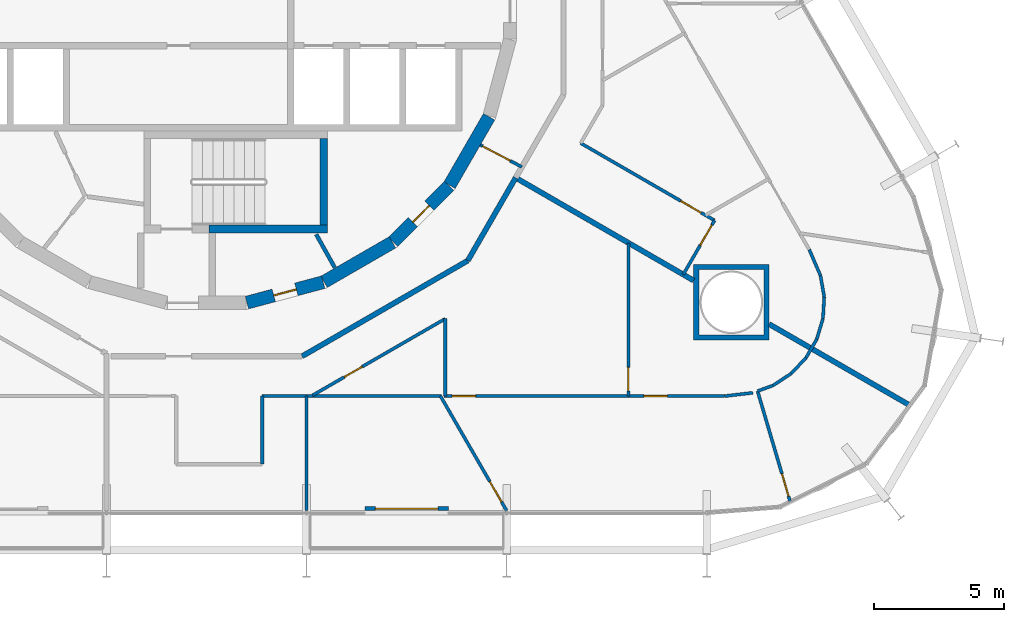
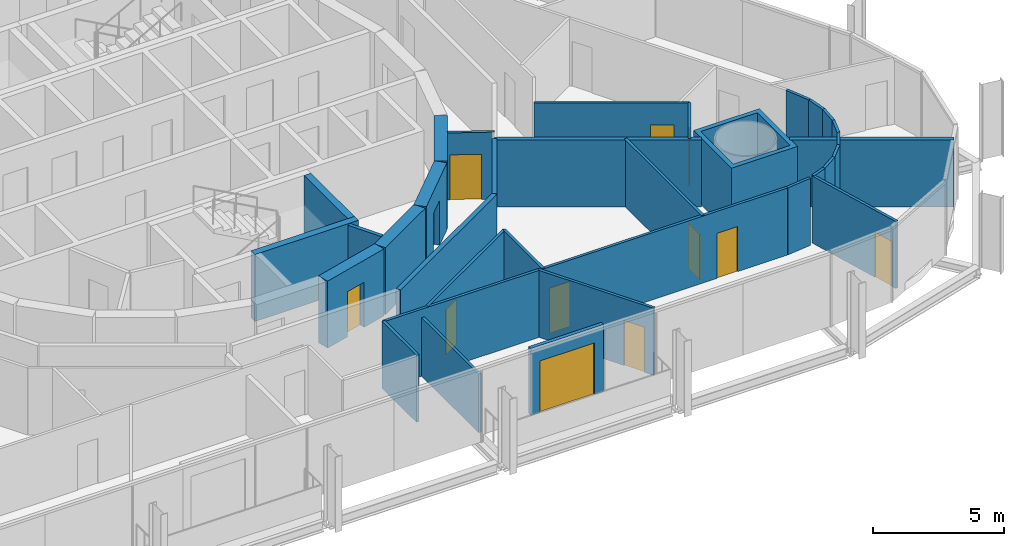
# One storey, part 15 of 19: 34 walls, 12 doors, 12 openings.
"""IFC4 building model written with IfcOpenShell, lengths in metres."""

from ifc_helpers import new_model, si_unit, direction, frame, frame_2d, origin, place, context, subcontext, project, spatial, polyline, rectangle, outline, extrude, material, layer, layer_set, type_object, element, fill, save


model = new_model("IFC4")

# Units and contexts
model_context = context("Model", 3, precision=1e-05, world=origin(), true_north=direction((0.0, 1.0)))
body_context = subcontext(model_context, "Body", "Model", "MODEL_VIEW")
ifc_project = project(units=[si_unit("LENGTHUNIT", "METRE"), si_unit("AREAUNIT", "SQUARE_METRE"), si_unit("VOLUMEUNIT", "CUBIC_METRE"), si_unit("PLANEANGLEUNIT", "RADIAN"), si_unit("MASSUNIT", "GRAM", prefix="KILO")], contexts=[model_context])

# Site, building, storey
site_placement = place(None, origin())
site = spatial("IfcSite", under=ifc_project, at=site_placement, CompositionType="ELEMENT")
building_placement = place(site_placement, origin())
building = spatial("IfcBuilding", under=site, at=building_placement, Name="Spindle Arch Residences", CompositionType="ELEMENT")
storey_placement = place(building_placement, frame((0.0, 0.0, 45.39990234375)))
storey = spatial("IfcBuildingStorey", under=building, at=storey_placement, Name="L09", CompositionType="ELEMENT", Elevation=45.39990234375)

# Wall, opening, door
ifc_material_1 = material(Name="Concrete C50/60", Category="concrete")
ifc_layer_1 = layer(ifc_material_1, 0.5)
ifc_layer_set_1 = layer_set([ifc_layer_1], Name="Core outline wall 500")
wall_type_1 = type_object("IfcWallType", Name="Core outline wall 500", PredefinedType="SHEAR", material=ifc_layer_set_1)
wall_1_placement = place(storey_placement, frame((1.5498046875, -11.642822265625, 0.0), z_axis=(0.0, 0.0, 1.0), x_axis=(0.965948410781, 0.258734743916, 0.0)))
wall_1 = element("IfcWall", 1, at=wall_1_placement, inside=storey, type_object=wall_type_1, Name="Core outline wall 1", PredefinedType="SHEAR", context=body_context, shape_type="SweptSolid", body=[
    extrude(rectangle(XDim=3.03271484375, YDim=0.5, at=frame_2d((1.516357421875, 0.0))), origin(), (0.0, 0.0, 1.0), 3.1201171875),
])
opening_1_placement = place(wall_1_placement, frame((1.06640625, 0.0, 0.0)))
opening_1 = element("IfcOpeningElement", 2, at=opening_1_placement, cuts=wall_1, Name="Opening R1A0-WD08", PredefinedType="OPENING", context=body_context, shape_type="SweptSolid", body=[
    extrude(rectangle(XDim=0.89990234375, YDim=2.10009765625, at=frame_2d((0.449951171875, 1.050048828125))), frame((0.0, 0.260009765625, 0.0), z_axis=(0.0, -1.0, 0.0), x_axis=(1.0, 0.0, 0.0)), (0.0, 0.0, 1.0), 0.52001953125),
])
ifc_material_2 = material(Name="Steel, fire-resisting door", Category="steel")
door_type_1 = type_object("IfcDoorType", Name="Service room door 900x2100", OperationType="SINGLE_SWING_LEFT", PredefinedType="DOOR", material=ifc_material_2)
door_1_placement = place(opening_1_placement, origin())
door_1 = element("IfcDoor", 3, at=door_1_placement, inside=storey, type_object=door_type_1, Name="Service room door R1A0-WD08", OperationType="SINGLE_SWING_LEFT", OverallHeight=2.10009765625, OverallWidth=0.89990234375, PredefinedType="DOOR", context=body_context, shape_type="SweptSolid", body=[
    extrude(rectangle(XDim=0.89990234375, YDim=2.10009765625, at=frame_2d((0.449951171875, 1.050048828125))), frame((0.0, 0.02490234375, 0.0), z_axis=(0.0, -1.0, 0.0), x_axis=(1.0, 0.0, 0.0)), (0.0, 0.0, 1.0), 0.050048828125),
])
fill(opening_1, door_1)

# Wall
wall_2_placement = place(storey_placement, frame((4.510498046875, -10.84521484375, 0.0), z_axis=(0.0, 0.0, 1.0), x_axis=(0.865975092491, 0.500087131594, 0.0)))
element("IfcWall", 4, at=wall_2_placement, inside=storey, type_object=wall_type_1, Name="Core outline wall 2", PredefinedType="SHEAR", context=body_context, shape_type="SweptSolid", body=[
    extrude(rectangle(XDim=3.03271484375, YDim=0.5, at=frame_2d((1.516357421875, 0.0))), origin(), (0.0, 0.0, 1.0), 3.1201171875),
])

# Wall, opening, door
wall_3_placement = place(storey_placement, frame((7.163818359375, -9.30810546875, 0.0), z_axis=(0.0, 0.0, 1.0), x_axis=(0.707106781187, 0.707106781187, 0.0)))
wall_3 = element("IfcWall", 5, at=wall_3_placement, inside=storey, type_object=wall_type_1, Name="Core outline wall 3", PredefinedType="SHEAR", context=body_context, shape_type="SweptSolid", body=[
    extrude(rectangle(XDim=3.032470703125, YDim=0.5, at=frame_2d((1.51611328125, 0.0))), origin(), (0.0, 0.0, 1.0), 3.1201171875),
])
opening_2_placement = place(wall_3_placement, frame((1.06640625, 0.0, 0.0)))
opening_2 = element("IfcOpeningElement", 6, at=opening_2_placement, cuts=wall_3, Name="Opening R1A0-WD07", PredefinedType="OPENING", context=body_context, shape_type="SweptSolid", body=[
    extrude(rectangle(XDim=0.89990234375, YDim=2.10009765625, at=frame_2d((0.449951171875, 1.050048828125))), frame((0.0, 0.260009765625, 0.0), z_axis=(0.0, -1.0, 0.0), x_axis=(1.0, 0.0, 0.0)), (0.0, 0.0, 1.0), 0.52001953125),
])
door_2_placement = place(opening_2_placement, origin())
door_2 = element("IfcDoor", 7, at=door_2_placement, inside=storey, type_object=door_type_1, Name="Service room door R1A0-WD07", OperationType="SINGLE_SWING_RIGHT", OverallHeight=2.10009765625, OverallWidth=0.89990234375, PredefinedType="DOOR", context=body_context, shape_type="SweptSolid", body=[
    extrude(rectangle(XDim=0.89990234375, YDim=2.10009765625, at=frame_2d((0.449951171875, 1.050048828125))), frame((0.0, 0.02490234375, 0.0), z_axis=(0.0, -1.0, 0.0), x_axis=(1.0, 0.0, 0.0)), (0.0, 0.0, 1.0), 0.050048828125),
])
fill(opening_2, door_2)

# Wall
wall_4_placement = place(storey_placement, frame((9.32861328125, -7.13671875, 0.0), z_axis=(0.0, 0.0, 1.0), x_axis=(0.500087131594, 0.865975092491, 0.0)))
element("IfcWall", 8, at=wall_4_placement, inside=storey, type_object=wall_type_1, Name="Core outline wall 4", PredefinedType="SHEAR", context=body_context, shape_type="SweptSolid", body=[
    extrude(rectangle(XDim=3.03271484375, YDim=0.5, at=frame_2d((1.516357421875, 0.0))), origin(), (0.0, 0.0, 1.0), 3.1201171875),
])

# Wall, opening, door
ifc_material_3 = material(Name="Plasterboard on steel studs", Category="steel")
ifc_layer_2 = layer(ifc_material_3, 0.1201171875)
ifc_layer_set_2 = layer_set([ifc_layer_2], Name="Corridor division wall 120")
wall_type_2 = type_object("IfcWallType", Name="Corridor division wall 120", PredefinedType="PARTITIONING", material=ifc_layer_set_2)
wall_5_placement = place(storey_placement, frame((10.510986328125, -5.5888671875, 0.0), z_axis=(0.0, 0.0, 1.0), x_axis=(0.88294043061, -0.469485032769, 0.0)))
wall_5 = element("IfcWall", 9, at=wall_5_placement, inside=storey, type_object=wall_type_2, Name="Corridor division wall R1A0-W002", PredefinedType="PARTITIONING", context=body_context, shape_type="SweptSolid", body=[
    extrude(rectangle(XDim=1.803955078125, YDim=0.1201171875, at=frame_2d((0.90185546875, 0.0))), origin(), (0.0, 0.0, 1.0), 3.1201171875),
])
opening_3_placement = place(wall_5_placement, frame((0.10009765625, 0.0, 0.0)))
opening_3 = element("IfcOpeningElement", 10, at=opening_3_placement, cuts=wall_5, Name="Opening R1A0-CD02", PredefinedType="OPENING", context=body_context, shape_type="SweptSolid", body=[
    extrude(rectangle(XDim=1.199951171875, YDim=2.10009765625, at=frame_2d((0.60009765625, 1.050048828125))), frame((0.0, 0.070068359375, 0.0), z_axis=(0.0, -1.0, 0.0), x_axis=(1.0, 0.0, 0.0)), (0.0, 0.0, 1.0), 0.14013671875),
])
ifc_material_4 = material(Name="Steel, fire-resisting door", Category="steel")
door_type_2 = type_object("IfcDoorType", Name="Corridor division door 1200x2100", OperationType="NOTDEFINED", PredefinedType="DOOR", material=ifc_material_4)
door_3_placement = place(opening_3_placement, origin())
door_3 = element("IfcDoor", 11, at=door_3_placement, inside=storey, type_object=door_type_2, Name="Corridor division door R1A0-CD02", OperationType="DOUBLE_DOOR_SINGLE_SWING", OverallHeight=2.10009765625, OverallWidth=1.199951171875, PredefinedType="DOOR", context=body_context, shape_type="SweptSolid", body=[
    extrude(rectangle(XDim=1.199951171875, YDim=2.10009765625, at=frame_2d((0.60009765625, 1.050048828125))), frame((0.0, 0.02490234375, 0.0), z_axis=(0.0, -1.0, 0.0), x_axis=(1.0, 0.0, 0.0)), (0.0, 0.0, 1.0), 0.050048828125),
])
fill(opening_3, door_3)

# Walls
ifc_material_5 = material(Name="Calcium silicate block, plastered")
ifc_layer_3 = layer(ifc_material_5, 0.199951171875)
ifc_layer_set_3 = layer_set([ifc_layer_3], Name="Corridor wall 200")
wall_type_3 = type_object("IfcWallType", Name="Corridor wall 200", PredefinedType="STANDARD", material=ifc_layer_set_3)
wall_6_placement = place(storey_placement, frame((3.6708984375, -13.699951171875, 0.0), z_axis=(0.0, 0.0, 1.0), x_axis=(0.866024439905, 0.500001669485, 0.0)))
element("IfcWall", 12, at=wall_6_placement, inside=storey, type_object=wall_type_3, Name="Corridor wall R1A0-W015", PredefinedType="STANDARD", context=body_context, shape_type="SweptSolid", body=[
    extrude(rectangle(XDim=7.341796875, YDim=0.199951171875, at=frame_2d((3.6708984375, 0.0))), origin(), (0.0, 0.0, 1.0), 3.1201171875),
])
wall_7_placement = place(storey_placement, frame((10.029052734375, -10.029052734375, 0.0), z_axis=(0.0, 0.0, 1.0), x_axis=(0.50001606911, 0.866016126081, 0.0)))
element("IfcWall", 13, at=wall_7_placement, inside=storey, type_object=wall_type_3, Name="Corridor wall R1A0-W016", PredefinedType="STANDARD", context=body_context, shape_type="SweptSolid", body=[
    extrude(rectangle(XDim=3.6708984375, YDim=0.199951171875, at=frame_2d((1.83544921875, 0.0))), origin(), (0.0, 0.0, 1.0), 3.1201171875),
])
ifc_material_6 = material(Name="Plasterboard on steel studs", Category="steel")
ifc_layer_4 = layer(ifc_material_6, 0.1201171875)
ifc_layer_set_4 = layer_set([ifc_layer_4], Name="Flat partition 120")
wall_type_4 = type_object("IfcWallType", Name="Flat partition 120", PredefinedType="PARTITIONING", material=ifc_layer_set_4)
wall_8_placement = place(storey_placement, frame((2.138671875, -17.844970703125, 0.0), z_axis=(0.0, 0.0, 1.0), x_axis=(0.0, 1.0, 0.0)))
element("IfcWall", 14, at=wall_8_placement, inside=storey, type_object=wall_type_4, Name="Flat partition R1A0-W087", PredefinedType="PARTITIONING", context=body_context, shape_type="SweptSolid", body=[
    extrude(rectangle(XDim=2.614990234375, YDim=0.1201171875, at=frame_2d((1.3076171875, 0.0))), origin(), (0.0, 0.0, 1.0), 3.1201171875),
])
wall_9_placement = place(storey_placement, frame((2.138671875, -15.22998046875, 0.0), z_axis=(0.0, 0.0, 1.0), x_axis=(1.0, 0.0, 0.0)))
element("IfcWall", 15, at=wall_9_placement, inside=storey, type_object=wall_type_4, Name="Flat partition R1A0-W088", PredefinedType="PARTITIONING", context=body_context, shape_type="SweptSolid", body=[
    extrude(rectangle(XDim=6.88720703125, YDim=0.1201171875, at=frame_2d((3.443603515625, 0.0))), origin(), (0.0, 0.0, 1.0), 3.1201171875),
])

# Wall, opening, door
wall_10_placement = place(storey_placement, frame((4.07275390625, -15.199951171875, 0.0), z_axis=(0.0, 0.0, 1.0), x_axis=(0.866034128446, 0.499984888139, 0.0)))
wall_10 = element("IfcWall", 16, at=wall_10_placement, inside=storey, type_object=wall_type_4, Name="Flat partition R1A0-W089", PredefinedType="PARTITIONING", context=body_context, shape_type="SweptSolid", body=[
    extrude(rectangle(XDim=5.878662109375, YDim=0.1201171875, at=frame_2d((2.939453125, 0.0))), origin(), (0.0, 0.0, 1.0), 3.1201171875),
])
opening_4_placement = place(wall_10_placement, frame((1.39990234375, 0.0, 0.0)))
opening_4 = element("IfcOpeningElement", 17, at=opening_4_placement, cuts=wall_10, Name="Opening R1A0-BD06", PredefinedType="OPENING", context=body_context, shape_type="SweptSolid", body=[
    extrude(rectangle(XDim=0.800048828125, YDim=2.10009765625, at=frame_2d((0.39990234375, 1.050048828125))), frame((0.0, 0.070068359375, 0.0), z_axis=(0.0, -1.0, 0.0), x_axis=(1.0, 0.0, 0.0)), (0.0, 0.0, 1.0), 0.14013671875),
])
ifc_material_7 = material(Name="Timber door set", Category="wood")
door_type_3 = type_object("IfcDoorType", Name="Bathroom door 800x2100", OperationType="NOTDEFINED", PredefinedType="DOOR", material=ifc_material_7)
door_4_placement = place(opening_4_placement, origin())
door_4 = element("IfcDoor", 18, at=door_4_placement, inside=storey, type_object=door_type_3, Name="Bathroom door R1A0-BD06", OperationType="SINGLE_SWING_RIGHT", OverallHeight=2.10009765625, OverallWidth=0.800048828125, PredefinedType="DOOR", context=body_context, shape_type="SweptSolid", body=[
    extrude(rectangle(XDim=0.800048828125, YDim=2.10009765625, at=frame_2d((0.39990234375, 1.050048828125))), frame((0.0, 0.02490234375, 0.0), z_axis=(0.0, -1.0, 0.0), x_axis=(1.0, 0.0, 0.0)), (0.0, 0.0, 1.0), 0.050048828125),
])
fill(opening_4, door_4)

# Wall
wall_11_placement = place(storey_placement, frame((9.163818359375, -12.2607421875, 0.0), z_axis=(0.0, 0.0, 1.0), x_axis=(0.0, -1.0, 0.0)))
element("IfcWall", 19, at=wall_11_placement, inside=storey, type_object=wall_type_4, Name="Flat partition R1A0-W090", PredefinedType="PARTITIONING", context=body_context, shape_type="SweptSolid", body=[
    extrude(rectangle(XDim=2.96923828125, YDim=0.1201171875, at=frame_2d((1.484619140625, 0.0))), origin(), (0.0, 0.0, 1.0), 3.1201171875),
])

# Wall, openings, doors
wall_12_placement = place(storey_placement, frame((9.123779296875, -15.22998046875, 0.0), z_axis=(0.0, 0.0, 1.0), x_axis=(1.0, 0.0, 0.0)))
wall_12 = element("IfcWall", 20, at=wall_12_placement, inside=storey, type_object=wall_type_4, Name="Flat partition R1A0-W091", PredefinedType="PARTITIONING", context=body_context, shape_type="SweptSolid", body=[
    extrude(rectangle(XDim=10.763671875, YDim=0.1201171875, at=frame_2d((5.3818359375, 0.0))), origin(), (0.0, 0.0, 1.0), 3.1201171875),
])
opening_5_placement = place(wall_12_placement, frame((0.300048828125, 0.0, 0.0)))
opening_5 = element("IfcOpeningElement", 21, at=opening_5_placement, cuts=wall_12, Name="Opening R1A0-ID25", PredefinedType="OPENING", context=body_context, shape_type="SweptSolid", body=[
    extrude(rectangle(XDim=0.89990234375, YDim=2.10009765625, at=frame_2d((0.449951171875, 1.050048828125))), frame((0.0, 0.070068359375, 0.0), z_axis=(0.0, -1.0, 0.0), x_axis=(1.0, 0.0, 0.0)), (0.0, 0.0, 1.0), 0.14013671875),
])
opening_6_placement = place(wall_12_placement, frame((7.665283203125, 0.0, 0.0)))
opening_6 = element("IfcOpeningElement", 22, at=opening_6_placement, cuts=wall_12, Name="Opening R1A0-ID29", PredefinedType="OPENING", context=body_context, shape_type="SweptSolid", body=[
    extrude(rectangle(XDim=0.89990234375, YDim=2.10009765625, at=frame_2d((0.449951171875, 1.050048828125))), frame((0.0, 0.070068359375, 0.0), z_axis=(0.0, -1.0, 0.0), x_axis=(1.0, 0.0, 0.0)), (0.0, 0.0, 1.0), 0.14013671875),
])
ifc_material_8 = material(Name="Timber door set", Category="wood")
door_type_4 = type_object("IfcDoorType", Name="Room door 900x2100", OperationType="NOTDEFINED", PredefinedType="DOOR", material=ifc_material_8)
door_5_placement = place(opening_5_placement, origin())
door_5 = element("IfcDoor", 23, at=door_5_placement, inside=storey, type_object=door_type_4, Name="Room door R1A0-ID25", OperationType="SINGLE_SWING_RIGHT", OverallHeight=2.10009765625, OverallWidth=0.89990234375, PredefinedType="DOOR", context=body_context, shape_type="SweptSolid", body=[
    extrude(rectangle(XDim=0.89990234375, YDim=2.10009765625, at=frame_2d((0.449951171875, 1.050048828125))), frame((0.0, 0.02490234375, 0.0), z_axis=(0.0, -1.0, 0.0), x_axis=(1.0, 0.0, 0.0)), (0.0, 0.0, 1.0), 0.050048828125),
])
fill(opening_5, door_5)
door_6_placement = place(opening_6_placement, origin())
door_6 = element("IfcDoor", 24, at=door_6_placement, inside=storey, type_object=door_type_4, Name="Room door R1A0-ID29", OperationType="SINGLE_SWING_LEFT", OverallHeight=2.10009765625, OverallWidth=0.89990234375, PredefinedType="DOOR", context=body_context, shape_type="SweptSolid", body=[
    extrude(rectangle(XDim=0.89990234375, YDim=2.10009765625, at=frame_2d((0.449951171875, 1.050048828125))), frame((0.0, 0.02490234375, 0.0), z_axis=(0.0, -1.0, 0.0), x_axis=(1.0, 0.0, 0.0)), (0.0, 0.0, 1.0), 0.050048828125),
])
fill(opening_6, door_6)

# Wall, opening, door
wall_13_placement = place(storey_placement, frame((16.189208984375, -15.22998046875, 0.0), z_axis=(0.0, 0.0, 1.0), x_axis=(0.0, 1.0, 0.0)))
wall_13 = element("IfcWall", 25, at=wall_13_placement, inside=storey, type_object=wall_type_4, Name="Flat partition R1A0-W092", PredefinedType="PARTITIONING", context=body_context, shape_type="SweptSolid", body=[
    extrude(rectangle(XDim=5.88330078125, YDim=0.1201171875, at=frame_2d((2.941650390625, 0.0))), origin(), (0.0, 0.0, 1.0), 3.1201171875),
])
opening_7_placement = place(wall_13_placement, frame((0.199951171875, 0.0, 0.0)))
opening_7 = element("IfcOpeningElement", 26, at=opening_7_placement, cuts=wall_13, Name="Opening R1A0-ID26", PredefinedType="OPENING", context=body_context, shape_type="SweptSolid", body=[
    extrude(rectangle(XDim=0.89990234375, YDim=2.10009765625, at=frame_2d((0.449951171875, 1.050048828125))), frame((0.0, 0.070068359375, 0.0), z_axis=(0.0, -1.0, 0.0), x_axis=(1.0, 0.0, 0.0)), (0.0, 0.0, 1.0), 0.14013671875),
])
door_7_placement = place(opening_7_placement, origin())
door_7 = element("IfcDoor", 27, at=door_7_placement, inside=storey, type_object=door_type_4, Name="Room door R1A0-ID26", OperationType="SINGLE_SWING_RIGHT", OverallHeight=2.10009765625, OverallWidth=0.89990234375, PredefinedType="DOOR", context=body_context, shape_type="SweptSolid", body=[
    extrude(rectangle(XDim=0.89990234375, YDim=2.10009765625, at=frame_2d((0.449951171875, 1.050048828125))), frame((0.0, 0.02490234375, 0.0), z_axis=(0.0, -1.0, 0.0), x_axis=(1.0, 0.0, 0.0)), (0.0, 0.0, 1.0), 0.050048828125),
])
fill(opening_7, door_7)

wall_14_placement = place(storey_placement, frame((11.52001953125, -19.6298828125, 0.0), z_axis=(0.0, 0.0, 1.0), x_axis=(-0.499999763888, 0.866025540104, 0.0)))
wall_14 = element("IfcWall", 28, at=wall_14_placement, inside=storey, type_object=wall_type_4, Name="Flat partition R1A0-W094", PredefinedType="PARTITIONING", context=body_context, shape_type="SweptSolid", body=[
    extrude(rectangle(XDim=5.08056640625, YDim=0.1201171875, at=frame_2d((2.540283203125, 0.0))), origin(), (0.0, 0.0, 1.0), 3.1201171875),
])
opening_8_placement = place(wall_14_placement, frame((0.39990234375, 0.0, 0.0)))
opening_8 = element("IfcOpeningElement", 29, at=opening_8_placement, cuts=wall_14, Name="Opening R1A0-ID27", PredefinedType="OPENING", context=body_context, shape_type="SweptSolid", body=[
    extrude(rectangle(XDim=0.89990234375, YDim=2.10009765625, at=frame_2d((0.449951171875, 1.050048828125))), frame((0.0, 0.070068359375, 0.0), z_axis=(0.0, -1.0, 0.0), x_axis=(1.0, 0.0, 0.0)), (0.0, 0.0, 1.0), 0.14013671875),
])
door_8_placement = place(opening_8_placement, origin())
door_8 = element("IfcDoor", 30, at=door_8_placement, inside=storey, type_object=door_type_4, Name="Room door R1A0-ID27", OperationType="SINGLE_SWING_LEFT", OverallHeight=2.10009765625, OverallWidth=0.89990234375, PredefinedType="DOOR", context=body_context, shape_type="SweptSolid", body=[
    extrude(rectangle(XDim=0.89990234375, YDim=2.10009765625, at=frame_2d((0.449951171875, 1.050048828125))), frame((0.0, 0.02490234375, 0.0), z_axis=(0.0, -1.0, 0.0), x_axis=(1.0, 0.0, 0.0)), (0.0, 0.0, 1.0), 0.050048828125),
])
fill(opening_8, door_8)

# Wall
wall_15_placement = place(storey_placement, frame((20.966796875, -15.103759765625, 0.0), z_axis=(0.0, 0.0, 1.0), x_axis=(-0.993231641151, -0.116150363826, 0.0)))
element("IfcWall", 31, at=wall_15_placement, inside=storey, type_object=wall_type_4, Name="Flat partition R1A0-W095", PredefinedType="PARTITIONING", context=body_context, shape_type="SweptSolid", body=[
    extrude(rectangle(XDim=1.086669921875, YDim=0.1201171875, at=frame_2d((0.54345703125, 0.0))), origin(), (0.0, 0.0, 1.0), 3.1201171875),
])

# Wall, opening, door
wall_16_placement = place(storey_placement, frame((22.395751953125, -19.26611328125, 0.0), z_axis=(0.0, 0.0, 1.0), x_axis=(-0.282873823334, 0.959157130022, 0.0)))
wall_16 = element("IfcWall", 32, at=wall_16_placement, inside=storey, type_object=wall_type_4, Name="Flat partition R1A0-W096", PredefinedType="PARTITIONING", context=body_context, shape_type="SweptSolid", body=[
    extrude(rectangle(XDim=4.40869140625, YDim=0.1201171875, at=frame_2d((2.204345703125, 0.0))), origin(), (0.0, 0.0, 1.0), 3.1201171875),
])
opening_9_placement = place(wall_16_placement, frame((0.199951171875, 0.0, 0.0)))
opening_9 = element("IfcOpeningElement", 33, at=opening_9_placement, cuts=wall_16, Name="Opening R1A0-ID28", PredefinedType="OPENING", context=body_context, shape_type="SweptSolid", body=[
    extrude(rectangle(XDim=0.89990234375, YDim=2.10009765625, at=frame_2d((0.449951171875, 1.050048828125))), frame((0.0, 0.070068359375, 0.0), z_axis=(0.0, -1.0, 0.0), x_axis=(1.0, 0.0, 0.0)), (0.0, 0.0, 1.0), 0.14013671875),
])
door_9_placement = place(opening_9_placement, origin())
door_9 = element("IfcDoor", 34, at=door_9_placement, inside=storey, type_object=door_type_4, Name="Room door R1A0-ID28", OperationType="SINGLE_SWING_RIGHT", OverallHeight=2.10009765625, OverallWidth=0.89990234375, PredefinedType="DOOR", context=body_context, shape_type="SweptSolid", body=[
    extrude(rectangle(XDim=0.89990234375, YDim=2.10009765625, at=frame_2d((0.449951171875, 1.050048828125))), frame((0.0, 0.02490234375, 0.0), z_axis=(0.0, -1.0, 0.0), x_axis=(1.0, 0.0, 0.0)), (0.0, 0.0, 1.0), 0.050048828125),
])
fill(opening_9, door_9)

# Walls
wall_17_placement = place(storey_placement, frame((21.148681640625, -15.03759765625, 0.0), z_axis=(0.0, 0.0, 1.0), x_axis=(0.939726102094, 0.341928140173, 0.0)))
element("IfcWall", 35, at=wall_17_placement, inside=storey, type_object=wall_type_4, Name="Flat partition R1A0-W097", PredefinedType="PARTITIONING", context=body_context, shape_type="SweptSolid", body=[
    extrude(rectangle(XDim=0.635498046875, YDim=0.1201171875, at=frame_2d((0.31787109375, 0.0))), origin(), (0.0, 0.0, 1.0), 3.1201171875),
])
wall_18_placement = place(storey_placement, frame((21.745849609375, -14.8203125, 0.0), z_axis=(0.0, 0.0, 1.0), x_axis=(0.835477570013, 0.549524549046, 0.0)))
element("IfcWall", 36, at=wall_18_placement, inside=storey, type_object=wall_type_4, Name="Flat partition R1A0-W098", PredefinedType="PARTITIONING", context=body_context, shape_type="SweptSolid", body=[
    extrude(rectangle(XDim=0.8291015625, YDim=0.1201171875, at=frame_2d((0.41455078125, 0.0))), origin(), (0.0, 0.0, 1.0), 3.1201171875),
])
wall_19_placement = place(storey_placement, frame((22.4384765625, -14.36474609375, 0.0), z_axis=(0.0, 0.0, 1.0), x_axis=(0.686182189596, 0.727429723535, 0.0)))
element("IfcWall", 37, at=wall_19_placement, inside=storey, type_object=wall_type_4, Name="Flat partition R1A0-W099", PredefinedType="PARTITIONING", context=body_context, shape_type="SweptSolid", body=[
    extrude(rectangle(XDim=0.82861328125, YDim=0.1201171875, at=frame_2d((0.414306640625, 0.0))), origin(), (0.0, 0.0, 1.0), 3.1201171875),
])
wall_20_placement = place(storey_placement, frame((23.007080078125, -13.761962890625, 0.0), z_axis=(0.0, 0.0, 1.0), x_axis=(0.500002839747, 0.86602376425, 0.0)))
element("IfcWall", 38, at=wall_20_placement, inside=storey, type_object=wall_type_4, Name="Flat partition R1A0-W100", PredefinedType="PARTITIONING", context=body_context, shape_type="SweptSolid", body=[
    extrude(rectangle(XDim=0.8291015625, YDim=0.1201171875, at=frame_2d((0.41455078125, 0.0))), origin(), (0.0, 0.0, 1.0), 3.1201171875),
])

# Wall, opening, door
wall_21_placement = place(storey_placement, frame((18.297607421875, -10.564208984375, 0.0), z_axis=(0.0, 0.0, 1.0), x_axis=(0.499960392047, 0.866048270239, 0.0)))
wall_21 = element("IfcWall", 39, at=wall_21_placement, inside=storey, type_object=wall_type_4, Name="Flat partition R1A0-W101", PredefinedType="PARTITIONING", context=body_context, shape_type="SweptSolid", body=[
    extrude(rectangle(XDim=2.398193359375, YDim=0.1201171875, at=frame_2d((1.19921875, 0.0))), origin(), (0.0, 0.0, 1.0), 3.1201171875),
])
opening_10_placement = place(wall_21_placement, frame((1.298095703125, 0.0, 0.0)))
opening_10 = element("IfcOpeningElement", 40, at=opening_10_placement, cuts=wall_21, Name="Opening R1A0-ID30", PredefinedType="OPENING", context=body_context, shape_type="SweptSolid", body=[
    extrude(rectangle(XDim=0.89990234375, YDim=2.10009765625, at=frame_2d((0.449951171875, 1.050048828125))), frame((0.0, 0.070068359375, 0.0), z_axis=(0.0, -1.0, 0.0), x_axis=(1.0, 0.0, 0.0)), (0.0, 0.0, 1.0), 0.14013671875),
])
door_10_placement = place(opening_10_placement, origin())
door_10 = element("IfcDoor", 41, at=door_10_placement, inside=storey, type_object=door_type_4, Name="Room door R1A0-ID30", OperationType="SINGLE_SWING_LEFT", OverallHeight=2.10009765625, OverallWidth=0.89990234375, PredefinedType="DOOR", context=body_context, shape_type="SweptSolid", body=[
    extrude(rectangle(XDim=0.89990234375, YDim=2.10009765625, at=frame_2d((0.449951171875, 1.050048828125))), frame((0.0, 0.02490234375, 0.0), z_axis=(0.0, -1.0, 0.0), x_axis=(1.0, 0.0, 0.0)), (0.0, 0.0, 1.0), 0.050048828125),
])
fill(opening_10, door_10)

wall_22_placement = place(storey_placement, frame((19.49658203125, -8.4873046875, 0.0), z_axis=(0.0, 0.0, 1.0), x_axis=(-0.866027165828, 0.499996948039, 0.0)))
wall_22 = element("IfcWall", 42, at=wall_22_placement, inside=storey, type_object=wall_type_4, Name="Flat partition R1A0-W102", PredefinedType="PARTITIONING", context=body_context, shape_type="SweptSolid", body=[
    extrude(rectangle(XDim=5.92822265625, YDim=0.1201171875, at=frame_2d((2.964111328125, 0.0))), origin(), (0.0, 0.0, 1.0), 3.1201171875),
])
opening_11_placement = place(wall_22_placement, frame((0.59521484375, 0.0, 0.0)))
opening_11 = element("IfcOpeningElement", 43, at=opening_11_placement, cuts=wall_22, Name="Opening R1A0-ID31", PredefinedType="OPENING", context=body_context, shape_type="SweptSolid", body=[
    extrude(rectangle(XDim=0.89990234375, YDim=2.10009765625, at=frame_2d((0.449951171875, 1.050048828125))), frame((0.0, 0.070068359375, 0.0), z_axis=(0.0, -1.0, 0.0), x_axis=(1.0, 0.0, 0.0)), (0.0, 0.0, 1.0), 0.14013671875),
])
door_11_placement = place(opening_11_placement, origin())
door_11 = element("IfcDoor", 44, at=door_11_placement, inside=storey, type_object=door_type_4, Name="Room door R1A0-ID31", OperationType="SINGLE_SWING_LEFT", OverallHeight=2.10009765625, OverallWidth=0.89990234375, PredefinedType="DOOR", context=body_context, shape_type="SweptSolid", body=[
    extrude(rectangle(XDim=0.89990234375, YDim=2.10009765625, at=frame_2d((0.449951171875, 1.050048828125))), frame((0.0, 0.02490234375, 0.0), z_axis=(0.0, -1.0, 0.0), x_axis=(1.0, 0.0, 0.0)), (0.0, 0.0, 1.0), 0.050048828125),
])
fill(opening_11, door_11)

# Walls
wall_23_placement = place(storey_placement, frame((23.133056640625, -9.60791015625, 0.0), z_axis=(0.0, 0.0, 1.0), x_axis=(0.396195073027, -0.918166359713, 0.0)))
element("IfcWall", 45, at=wall_23_placement, inside=storey, type_object=wall_type_4, Name="Flat partition R1A0-W108", PredefinedType="PARTITIONING", context=body_context, shape_type="SweptSolid", body=[
    extrude(rectangle(XDim=1.0869140625, YDim=0.1201171875, at=frame_2d((0.54345703125, 0.0))), origin(), (0.0, 0.0, 1.0), 3.1201171875),
])
for number, where, z_axis, x_axis, name in (
    (46, (23.563720703125, -10.60595703125, 0.0), (0.0, 0.0, 1.0), (0.173466108083, -0.984839839439, 0.0), "Flat partition R1A0-W109"),
    (47, (23.70751953125, -11.42236328125, 0.0), (0.0, 0.0, 1.0), (-0.058031280246, -0.998314765248, 0.0), "Flat partition R1A0-W110"),
):
    element("IfcWall", number, at=place(storey_placement, frame(where, z_axis=z_axis, x_axis=x_axis)), inside=storey, type_object=wall_type_4, Name=name, PredefinedType="PARTITIONING", context=body_context, shape_type="SweptSolid", body=[
        extrude(rectangle(XDim=0.828857421875, YDim=0.1201171875, at=frame_2d((0.41455078125, 0.0))), origin(), (0.0, 0.0, 1.0), 3.1201171875),
    ])
wall_24_placement = place(storey_placement, frame((23.659423828125, -12.249755859375, 0.0), z_axis=(0.0, 0.0, 1.0), x_axis=(-0.286834510868, -0.957980147694, 0.0)))
element("IfcWall", 48, at=wall_24_placement, inside=storey, type_object=wall_type_4, Name="Flat partition R1A0-W111", PredefinedType="PARTITIONING", context=body_context, shape_type="SweptSolid", body=[
    extrude(rectangle(XDim=0.8291015625, YDim=0.1201171875, at=frame_2d((0.41455078125, 0.0))), origin(), (0.0, 0.0, 1.0), 3.1201171875),
])
ifc_material_9 = material(Name="Plasterboard on steel studs", Category="steel")
ifc_layer_5 = layer(ifc_material_9, 0.1201171875)
ifc_layer_set_5 = layer_set([ifc_layer_5], Name="Flat partition 120 under beam 2730")
wall_type_5 = type_object("IfcWallType", Name="Flat partition 120 under beam 2730", PredefinedType="PARTITIONING", material=ifc_layer_set_5)
wall_25_placement = place(storey_placement, frame((3.840087890625, -19.6298828125, 0.0), z_axis=(0.0, 0.0, 1.0), x_axis=(0.0, 1.0, 0.0)))
element("IfcWall", 49, at=wall_25_placement, inside=storey, type_object=wall_type_5, Name="Flat partition R1A0-W093", PredefinedType="PARTITIONING", context=body_context, shape_type="SweptSolid", body=[
    extrude(rectangle(XDim=4.39990234375, YDim=0.1201171875, at=frame_2d((2.199951171875, 0.0))), origin(), (0.0, 0.0, 1.0), 2.72998046875),
])
ifc_material_10 = material(Name="Calcium silicate block, plastered")
ifc_layer_6 = layer(ifc_material_10, 0.199951171875)
ifc_layer_set_6 = layer_set([ifc_layer_6], Name="Flat party wall 200")
wall_type_6 = type_object("IfcWallType", Name="Flat party wall 200", PredefinedType="STANDARD", material=ifc_layer_set_6)
wall_26_placement = place(storey_placement, frame((18.693603515625, -10.792724609375, 0.0), z_axis=(0.0, 0.0, 1.0), x_axis=(-0.865964895271, 0.500104789178, 0.0)))
element("IfcWall", 50, at=wall_26_placement, inside=storey, type_object=wall_type_6, Name="Flat party wall R1A0-W025", PredefinedType="STANDARD", context=body_context, shape_type="SweptSolid", body=[
    extrude(rectangle(XDim=7.885498046875, YDim=0.199951171875, at=frame_2d((3.94287109375, 0.0))), origin(), (0.0, 0.0, 1.0), 3.1201171875),
])
wall_27_placement = place(storey_placement, frame((27.02490234375, -15.602783203125, 0.0), z_axis=(0.0, 0.0, 1.0), x_axis=(-0.866030653443, 0.499990907215, 0.0)))
element("IfcWall", 51, at=wall_27_placement, inside=storey, type_object=wall_type_6, Name="Flat party wall R1A0-W026", PredefinedType="STANDARD", context=body_context, shape_type="SweptSolid", body=[
    extrude(rectangle(XDim=6.271484375, YDim=0.199951171875, at=frame_2d((3.1357421875, 0.0))), origin(), (0.0, 0.0, 1.0), 3.1201171875),
])

# Wall, opening, door
ifc_material_11 = material(Name="Non-combustible mineral wool insulated aluminium faced external wall (K0)", Category="aluminium")
ifc_layer_7 = layer(ifc_material_11, 0.159912109375)
ifc_layer_set_7 = layer_set([ifc_layer_7], Name="Insulated external wall panel 160")
wall_type_7 = type_object("IfcWallType", Name="Insulated external wall panel 160", PredefinedType="STANDARD", material=ifc_layer_set_7)
wall_28_placement = place(storey_placement, frame((6.080078125, -19.5498046875, 0.0), z_axis=(0.0, 0.0, 1.0), x_axis=(1.0, 0.0, 0.0)))
wall_28 = element("IfcWall", 52, at=wall_28_placement, inside=storey, type_object=wall_type_7, Name="External wall L09 bay 1", PredefinedType="STANDARD", context=body_context, shape_type="SweptSolid", body=[
    extrude(rectangle(XDim=3.199951171875, YDim=0.159912109375, at=frame_2d((1.60009765625, 0.0))), origin(), (0.0, 0.0, 1.0), 3.1201171875),
])
opening_12_placement = place(wall_28_placement, frame((0.39990234375, 0.0, 0.0)))
opening_12 = element("IfcOpeningElement", 53, at=opening_12_placement, cuts=wall_28, Name="Opening BD01", PredefinedType="OPENING", context=body_context, shape_type="SweptSolid", body=[
    extrude(rectangle(XDim=2.39990234375, YDim=2.39990234375, at=frame_2d((1.199951171875, 1.199951171875))), frame((0.0, 0.08984375, 0.0), z_axis=(0.0, -1.0, 0.0), x_axis=(1.0, 0.0, 0.0)), (0.0, 0.0, 1.0), 0.179931640625),
])
ifc_material_12 = material(Name="Bronze aluminium frame, tinted double glazing", Category="aluminium")
door_type_5 = type_object("IfcDoorType", Name="Sliding glazed balcony door 2400x2400", OperationType="DOUBLE_DOOR_SLIDING", PredefinedType="DOOR", material=ifc_material_12)
door_12_placement = place(opening_12_placement, origin())
door_12 = element("IfcDoor", 54, at=door_12_placement, inside=storey, type_object=door_type_5, Name="Balcony door BD01", OperationType="DOUBLE_DOOR_SLIDING", OverallHeight=2.39990234375, OverallWidth=2.39990234375, PredefinedType="DOOR", context=body_context, shape_type="SweptSolid", body=[
    extrude(rectangle(XDim=2.39990234375, YDim=2.39990234375, at=frame_2d((1.199951171875, 1.199951171875))), frame((0.0, 0.02490234375, 0.0), z_axis=(0.0, -1.0, 0.0), x_axis=(1.0, 0.0, 0.0)), (0.0, 0.0, 1.0), 0.050048828125),
])
fill(opening_12, door_12)

# Walls
ifc_material_13 = material(Name="Calcium silicate block, plastered")
ifc_layer_8 = layer(ifc_material_13, 0.199951171875)
ifc_layer_set_8 = layer_set([ifc_layer_8], Name="Mega-column casing wall 200")
wall_type_8 = type_object("IfcWallType", Name="Mega-column casing wall 200", PredefinedType="STANDARD", material=ifc_layer_set_8)
wall_29_placement = place(storey_placement, origin())
element("IfcWall", 55, at=wall_29_placement, inside=storey, type_object=wall_type_8, Name="Mega-column casing wall R1A0-WC03", PredefinedType="STANDARD", context=body_context, shape_type="SweptSolid", body=[
    extrude(outline(polyline([(21.593505859375, -10.179931640625), (21.593505859375, -13.079833984375), (18.693603515625, -13.079833984375), (18.693603515625, -10.179931640625), (21.593505859375, -10.179931640625)]), holes=[polyline([(18.8935546875, -12.8798828125), (21.3935546875, -12.8798828125), (21.3935546875, -10.3798828125), (18.8935546875, -10.3798828125), (18.8935546875, -12.8798828125)])]), origin(), (0.0, 0.0, 1.0), 3.1201171875),
])
ifc_material_14 = material(Name="Concrete C25/30", Category="concrete")
ifc_layer_9 = layer(ifc_material_14, 0.14990234375)
ifc_layer_set_9 = layer_set([ifc_layer_9], Name="Service room partition 150")
wall_type_9 = type_object("IfcWallType", Name="Service room partition 150", PredefinedType="PARTITIONING", material=ifc_layer_set_9)
wall_30_placement = place(storey_placement, frame((4.922119140625, -10.295654296875, 0.0), z_axis=(0.0, 0.0, 1.0), x_axis=(-0.48860846254, 0.872503163509, 0.0)))
element("IfcWall", 56, at=wall_30_placement, inside=storey, type_object=wall_type_9, Name="Core service room partition", PredefinedType="PARTITIONING", context=body_context, shape_type="SweptSolid", body=[
    extrude(rectangle(XDim=1.45947265625, YDim=0.14990234375, at=frame_2d((0.729736328125, 0.0))), origin(), (0.0, 0.0, 1.0), 3.1201171875),
])
ifc_material_15 = material(Name="Concrete C50/60", Category="concrete")
ifc_layer_10 = layer(ifc_material_15, 0.300048828125)
ifc_layer_set_10 = layer_set([ifc_layer_10], Name="Stair enclosure wall 300")
wall_type_10 = type_object("IfcWallType", Name="Stair enclosure wall 300", PredefinedType="SHEAR", material=ifc_layer_set_10)
wall_31_placement = place(storey_placement, frame((4.5, -8.669921875, 0.0), z_axis=(0.0, 0.0, 1.0), x_axis=(0.0, 1.0, 0.0)))
element("IfcWall", 57, at=wall_31_placement, inside=storey, type_object=wall_type_10, Name="Stair ST-3 enclosure wall E", PredefinedType="SHEAR", context=body_context, shape_type="SweptSolid", body=[
    extrude(rectangle(XDim=3.31982421875, YDim=0.300048828125, at=frame_2d((1.659912109375, 0.0))), origin(), (0.0, 0.0, 1.0), 3.1201171875),
])
wall_32_placement = place(storey_placement, frame((0.10009765625, -8.820068359375, 0.0), z_axis=(0.0, 0.0, 1.0), x_axis=(1.0, 0.0, 0.0)))
element("IfcWall", 58, at=wall_32_placement, inside=storey, type_object=wall_type_10, Name="Stair ST-3 enclosure wall S", PredefinedType="SHEAR", context=body_context, shape_type="SweptSolid", body=[
    extrude(rectangle(XDim=4.5498046875, YDim=0.300048828125, at=frame_2d((2.27490234375, 0.0))), origin(), (0.0, 0.0, 1.0), 3.1201171875),
])

save(model, "model.ifc")
